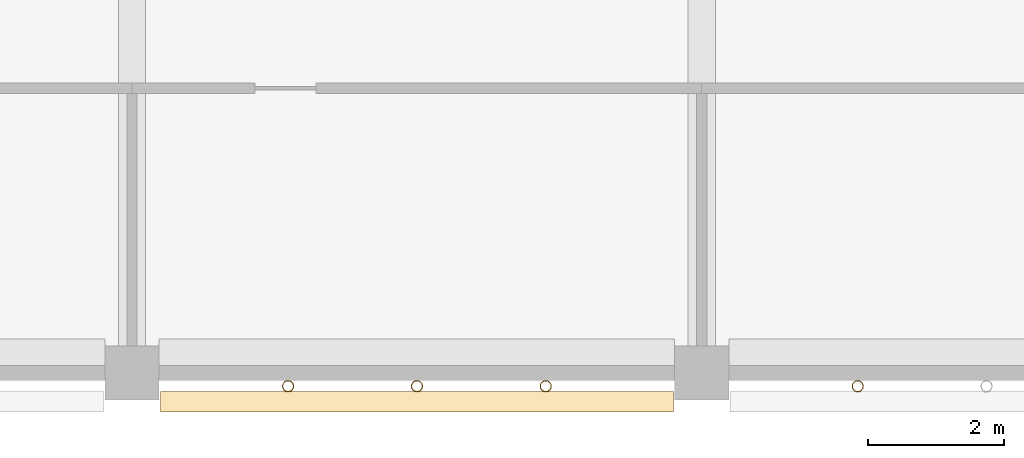
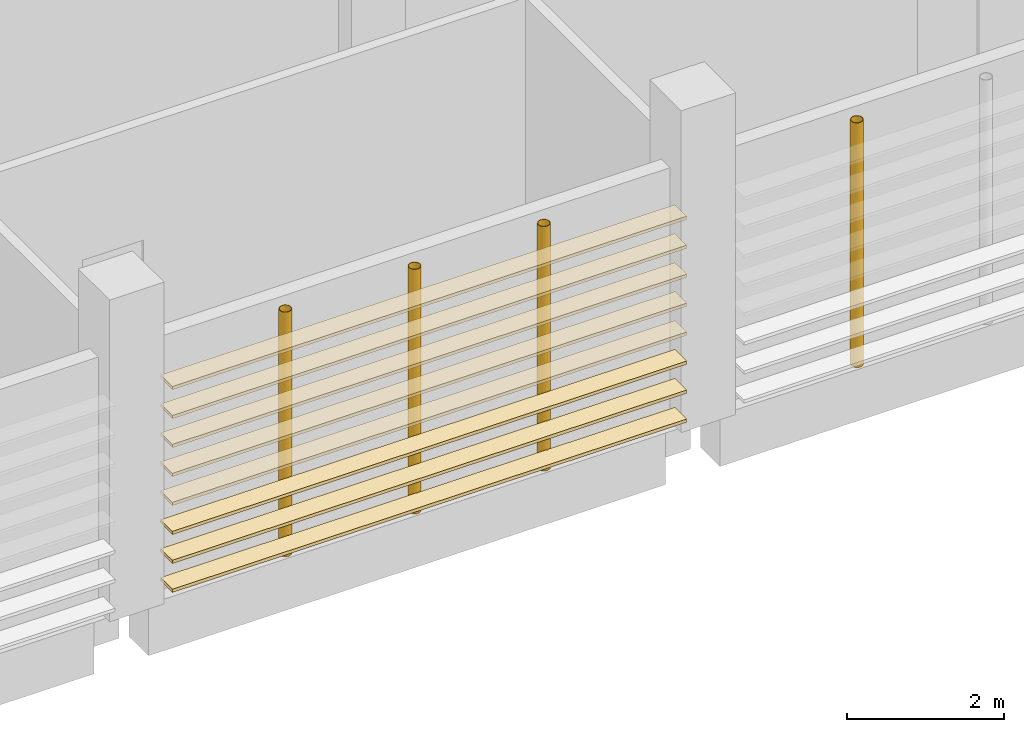
# One storey, part 60 of 101: 8 coverings, 4 shading devices.
"""IFC4 building model written with IfcOpenShell, lengths in metres."""

from ifc_helpers import new_model, si_unit, direction, frame, origin, origin_2d, place, context, subcontext, project, spatial, rectangle, hollow_circle, extrude, material, material_profile, profile_set, type_object, element, save


model = new_model("IFC4")

# Units and contexts
model_context = context("Model", 3, precision=1e-05, world=origin(), true_north=direction((0.0, 1.0)))
body_context = subcontext(model_context, "Body", "Model", "MODEL_VIEW")
ifc_project = project(units=[si_unit("LENGTHUNIT", "METRE"), si_unit("AREAUNIT", "SQUARE_METRE"), si_unit("VOLUMEUNIT", "CUBIC_METRE"), si_unit("PLANEANGLEUNIT", "RADIAN"), si_unit("MASSUNIT", "GRAM", prefix="KILO")], contexts=[model_context])

# Site, building, storey
site_placement = place(None, origin())
site = spatial("IfcSite", under=ifc_project, at=site_placement, CompositionType="ELEMENT")
building_placement = place(site_placement, origin())
building = spatial("IfcBuilding", under=site, at=building_placement, Name="Almond Square Museum", CompositionType="ELEMENT")
storey_placement = place(building_placement, frame((0.0, 0.0, 5.5)))
storey = spatial("IfcBuildingStorey", under=building, at=storey_placement, Name="L01", CompositionType="ELEMENT", Elevation=5.5)

# Shading devices
ifc_material_1 = material(Name="Structural steel S355", Category="steel")
ifc_material_profile_1 = material_profile(ifc_material_1, hollow_circle(Radius=0.084228515625, WallThickness=0.008056640625, at=origin_2d()))
ifc_profile_set_1 = profile_set([ifc_material_profile_1], Name="Structural steel S355")
shading_device_type = type_object("IfcShadingDeviceType", Name="Louvre post CHS 168.3 x 8", PredefinedType="USERDEFINED", material=ifc_profile_set_1)
for number, where, z_axis, x_axis, name in (
    (1, (25.10009765625, -0.194091796875, 0.0), (0.0, 0.0, 1.0), (1.0, 0.0, 0.0), "Louvre screen post"),
    (2, (27.0, -0.194091796875, 0.0), (0.0, 0.0, 1.0), (1.0, 0.0, 0.0), "Louvre screen post"),
    (3, (28.89990234375, -0.194091796875, 0.0), (0.0, 0.0, 1.0), (1.0, 0.0, 0.0), "Louvre screen post"),
    (4, (33.5, -0.194091796875, 0.0), (0.0, 0.0, 1.0), (1.0, 0.0, 0.0), "Louvre screen post"),
):
    element("IfcShadingDevice", number, at=place(storey_placement, frame(where, z_axis=z_axis, x_axis=x_axis)), inside=storey, type_object=shading_device_type, Name=name, ObjectType="POST", PredefinedType="USERDEFINED", context=body_context, shape_type="SweptSolid", body=[
        extrude(hollow_circle(Radius=0.084228515625, WallThickness=0.008056640625, at=origin_2d()), origin(), (0.0, 0.0, 1.0), 3.800048828125),
    ])

# Coverings
ifc_material_2 = material(Name="Cedar timber louvre board", Category="wood")
ifc_material_profile_2 = material_profile(ifc_material_2, rectangle(XDim=0.300048828125, YDim=0.050048828125, at=origin_2d()))
ifc_profile_set_2 = profile_set([ifc_material_profile_2], Name="Cedar timber louvre board")
covering_type = type_object("IfcCoveringType", Name="Louvre screen board 300 x 50", PredefinedType="CLADDING", material=ifc_profile_set_2)
for number, where, z_axis, x_axis, name in (
    (5, (23.219970703125, -0.42431640625, 0.300048828125), (1.0, 0.0, 0.0), (0.0, 1.0, 0.0), "Louvre screen board"),
    (6, (23.219970703125, -0.42431640625, 0.75), (1.0, 0.0, 0.0), (0.0, 1.0, 0.0), "Louvre screen board"),
    (7, (23.219970703125, -0.42431640625, 1.199951171875), (1.0, 0.0, 0.0), (0.0, 1.0, 0.0), "Louvre screen board"),
    (8, (23.219970703125, -0.42431640625, 1.64990234375), (1.0, 0.0, 0.0), (0.0, 1.0, 0.0), "Louvre screen board"),
    (9, (23.219970703125, -0.42431640625, 2.10009765625), (1.0, 0.0, 0.0), (0.0, 1.0, 0.0), "Louvre screen board"),
    (10, (23.219970703125, -0.42431640625, 2.550048828125), (1.0, 0.0, 0.0), (0.0, 1.0, 0.0), "Louvre screen board"),
    (11, (23.219970703125, -0.42431640625, 3.0), (1.0, 0.0, 0.0), (0.0, 1.0, 0.0), "Louvre screen board"),
    (12, (23.219970703125, -0.42431640625, 3.449951171875), (1.0, 0.0, 0.0), (0.0, 1.0, 0.0), "Louvre screen board"),
):
    element("IfcCovering", number, at=place(storey_placement, frame(where, z_axis=z_axis, x_axis=x_axis)), inside=storey, type_object=covering_type, Name=name, PredefinedType="CLADDING", context=body_context, shape_type="SweptSolid", body=[
        extrude(rectangle(XDim=0.300048828125, YDim=0.050048828125, at=origin_2d()), origin(), (0.0, 0.0, 1.0), 7.56005859375),
    ])

save(model, "model.ifc")
